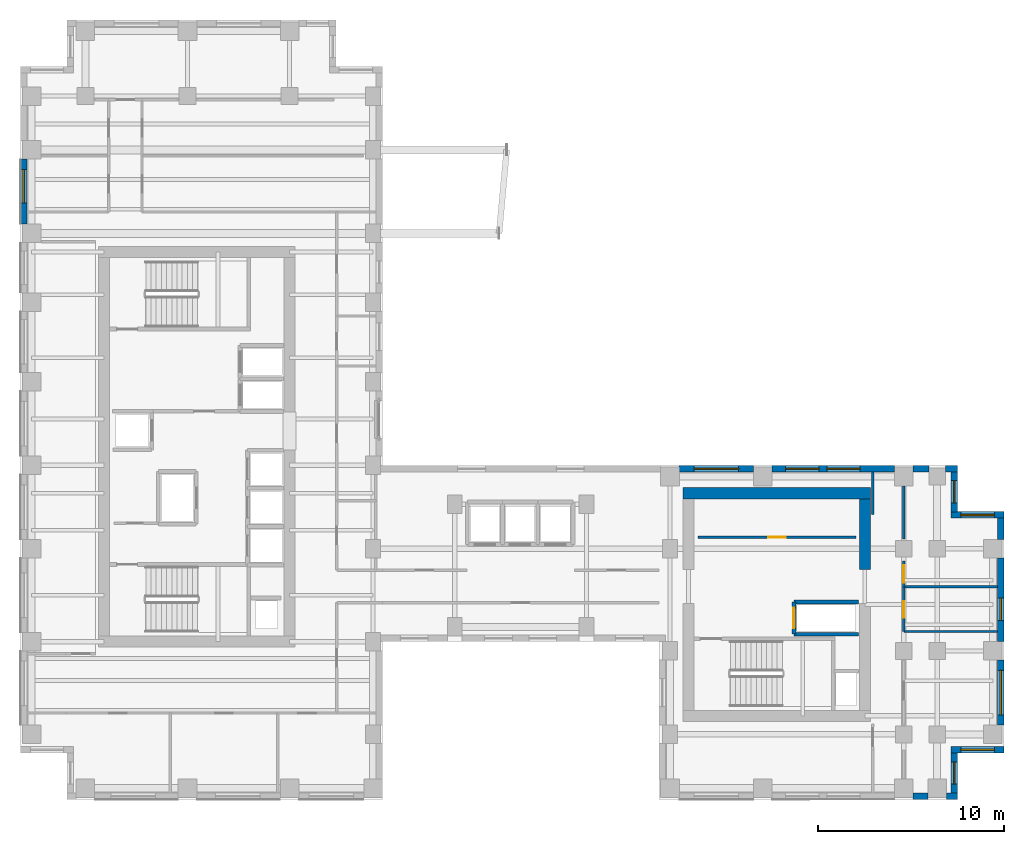
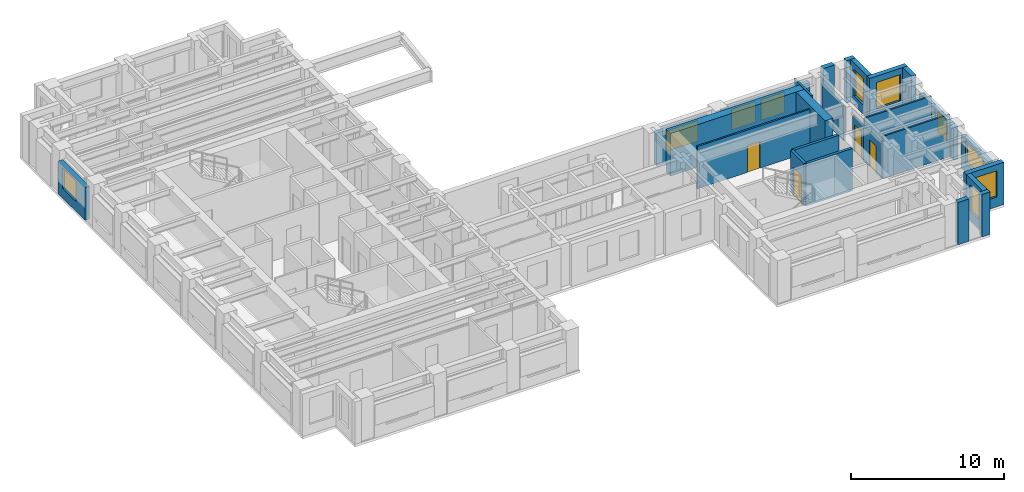
# One storey, part 10 of 14: 26 walls, 10 windows, 4 doors, 14 openings.
"""IFC4 building model written with IfcOpenShell, lengths in metres."""

from ifc_helpers import new_model, si_unit, direction, frame, frame_2d, origin, place, context, subcontext, project, spatial, rectangle, extrude, source, transform, mapped, material, layer, layer_set, type_object, element, fill, save


model = new_model("IFC4")

# Units and contexts
model_context = context("Model", 3, precision=1e-05, world=origin(), true_north=direction((0.0, 1.0)))
body_context = subcontext(model_context, "Body", "Model", "MODEL_VIEW")
ifc_project = project(units=[si_unit("LENGTHUNIT", "METRE"), si_unit("AREAUNIT", "SQUARE_METRE"), si_unit("VOLUMEUNIT", "CUBIC_METRE"), si_unit("PLANEANGLEUNIT", "RADIAN"), si_unit("MASSUNIT", "GRAM", prefix="KILO")], contexts=[model_context])

# Site, building, storey
site_placement = place(None, origin())
site = spatial("IfcSite", under=ifc_project, at=site_placement, CompositionType="ELEMENT")
building_placement = place(site_placement, origin())
building = spatial("IfcBuilding", under=site, at=building_placement, Name="Kharzan Plaza Tower", CompositionType="ELEMENT")
storey_placement = place(building_placement, frame((0.0, 0.0, 168.300048828125)))
storey = spatial("IfcBuildingStorey", under=building, at=storey_placement, Name="L45", CompositionType="ELEMENT", Elevation=168.300048828125)

# Wall, opening, window
ifc_material_1 = material(Name="Concrete C40/50", Category="concrete")
ifc_layer_1 = layer(ifc_material_1, 0.35009765625)
ifc_layer_set_1 = layer_set([ifc_layer_1], Name="Concrete C40/50")
wall_type_1 = type_object("IfcWallType", Name="WL-EXT-MAS-Z3", PredefinedType="SOLIDWALL", material=ifc_layer_set_1)
wall_1_placement = place(storey_placement, frame((0.175048828125, 34.501953125, 0.0), z_axis=(0.0, 0.0, 1.0), x_axis=(0.0, -1.0, 0.0)))
wall_1 = element("IfcWall", 1, at=wall_1_placement, inside=storey, type_object=wall_type_1, Name="L45 Masonry-Frame Exterior Wall 11", PredefinedType="SOLIDWALL", context=body_context, shape_type="SweptSolid", body=[
    extrude(rectangle(XDim=3.50390625, YDim=0.35009765625, at=frame_2d((1.751953125, 0.0))), origin(), (0.0, 0.0, 1.0), 2.612060546875),
])
opening_1_placement = place(wall_1_placement, frame((0.56103515625, 0.0, 0.780029296875)))
opening_1 = element("IfcOpeningElement", 2, at=opening_1_placement, cuts=wall_1, Name="Opening W1", PredefinedType="OPENING", context=body_context, shape_type="SweptSolid", body=[
    extrude(rectangle(XDim=1.800048828125, YDim=1.652099609375, at=frame_2d((0.89990234375, 0.826171875))), frame((0.0, 0.18505859375, 0.0), z_axis=(0.0, -1.0, 0.0), x_axis=(1.0, 0.0, 0.0)), (0.0, 0.0, 1.0), 0.3701171875),
])
ifc_material_2 = material(Name="Low-E Double Glazing", Category="glass")
window_type_1 = type_object("IfcWindowType", Name="WN-REC-1800x2100", PartitioningType="SINGLE_PANEL", PredefinedType="WINDOW", material=ifc_material_2)
shared_shape_1 = source(origin(), body_context, "Body", "SweptSolid", [
    extrude(rectangle(XDim=1.800048828125, YDim=1.652099609375, at=frame_2d((0.89990234375, 0.826171875))), frame((0.0, 0.030029296875, 0.0), z_axis=(0.0, -1.0, 0.0), x_axis=(1.0, 0.0, 0.0)), (0.0, 0.0, 1.0), 0.06005859375),
])
window_1_placement = place(opening_1_placement, origin())
window_1 = element("IfcWindow", 3, at=window_1_placement, inside=storey, type_object=window_type_1, Name="L45 Recessed Solar-Control Window 11-1", OverallHeight=1.652099609375, OverallWidth=1.800048828125, PartitioningType="SINGLE_PANEL", PredefinedType="WINDOW", context=body_context, shape_type="MappedRepresentation", body=[
    mapped(shared_shape_1, transform((0.0, 0.0, 0.0), x_axis=(1.0, 0.0, 0.0), y_axis=(0.0, 1.0, 0.0), z_axis=(0.0, 0.0, 1.0))),
])
fill(opening_1, window_1)

wall_2_placement = place(storey_placement, frame((50.324951171875, 0.347900390625, 0.0), z_axis=(0.0, 0.0, 1.0), x_axis=(0.0, 1.0, 0.0)))
wall_2 = element("IfcWall", 4, at=wall_2_placement, inside=storey, type_object=wall_type_1, Name="L45 Masonry-Frame Exterior Wall 35", PredefinedType="SOLIDWALL", context=body_context, shape_type="SweptSolid", body=[
    extrude(rectangle(XDim=2.154052734375, YDim=0.35009765625, at=frame_2d((1.0771484375, 0.0))), origin(), (0.0, 0.0, 1.0), 3.385009765625),
])
opening_2_placement = place(wall_2_placement, frame((0.47705078125, 0.0, 0.780029296875)))
opening_2 = element("IfcOpeningElement", 5, at=opening_2_placement, cuts=wall_2, Name="Opening W3", PredefinedType="OPENING", context=body_context, shape_type="SweptSolid", body=[
    extrude(rectangle(XDim=1.199951171875, YDim=2.10009765625, at=frame_2d((0.60009765625, 1.050048828125))), frame((0.0, 0.18505859375, 0.0), z_axis=(0.0, -1.0, 0.0), x_axis=(1.0, 0.0, 0.0)), (0.0, 0.0, 1.0), 0.3701171875),
])
window_type_2 = type_object("IfcWindowType", Name="WN-REC-1200x2100", PartitioningType="SINGLE_PANEL", PredefinedType="WINDOW", material=ifc_material_2)
shared_shape_2 = source(origin(), body_context, "Body", "SweptSolid", [
    extrude(rectangle(XDim=1.199951171875, YDim=2.10009765625, at=frame_2d((0.60009765625, 1.050048828125))), frame((0.0, 0.030029296875, 0.0), z_axis=(0.0, -1.0, 0.0), x_axis=(1.0, 0.0, 0.0)), (0.0, 0.0, 1.0), 0.06005859375),
])
window_2_placement = place(opening_2_placement, origin())
window_2 = element("IfcWindow", 6, at=window_2_placement, inside=storey, type_object=window_type_2, Name="L45 Recessed Solar-Control Window 35-1", OverallHeight=2.10009765625, OverallWidth=1.199951171875, PartitioningType="SINGLE_PANEL", PredefinedType="WINDOW", context=body_context, shape_type="MappedRepresentation", body=[
    mapped(shared_shape_2, transform((0.0, 0.0, 0.0), x_axis=(1.0, 0.0, 0.0), y_axis=(0.0, 1.0, 0.0), z_axis=(0.0, 0.0, 1.0))),
])
fill(opening_2, window_2)

wall_3_placement = place(storey_placement, frame((50.14990234375, 2.675048828125, 0.0), z_axis=(0.0, 0.0, 1.0), x_axis=(1.0, 0.0, 0.0)))
wall_3 = element("IfcWall", 7, at=wall_3_placement, inside=storey, type_object=wall_type_1, Name="L45 Masonry-Frame Exterior Wall 36", PredefinedType="SOLIDWALL", context=body_context, shape_type="SweptSolid", body=[
    extrude(rectangle(XDim=2.85009765625, YDim=0.35009765625, at=frame_2d((1.425048828125, 0.0))), origin(), (0.0, 0.0, 1.0), 3.385009765625),
])
opening_3_placement = place(wall_3_placement, frame((0.52490234375, 0.0, 0.780029296875)))
opening_3 = element("IfcOpeningElement", 8, at=opening_3_placement, cuts=wall_3, Name="Opening W1", PredefinedType="OPENING", context=body_context, shape_type="SweptSolid", body=[
    extrude(rectangle(XDim=1.800048828125, YDim=2.10009765625, at=frame_2d((0.89990234375, 1.050048828125))), frame((0.0, 0.18505859375, 0.0), z_axis=(0.0, -1.0, 0.0), x_axis=(1.0, 0.0, 0.0)), (0.0, 0.0, 1.0), 0.3701171875),
])
shared_shape_3 = source(origin(), body_context, "Body", "SweptSolid", [
    extrude(rectangle(XDim=1.800048828125, YDim=2.10009765625, at=frame_2d((0.89990234375, 1.050048828125))), frame((0.0, 0.030029296875, 0.0), z_axis=(0.0, -1.0, 0.0), x_axis=(1.0, 0.0, 0.0)), (0.0, 0.0, 1.0), 0.06005859375),
])
window_3_placement = place(opening_3_placement, origin())
window_3 = element("IfcWindow", 9, at=window_3_placement, inside=storey, type_object=window_type_1, Name="L45 Recessed Solar-Control Window 36-1", OverallHeight=2.10009765625, OverallWidth=1.800048828125, PartitioningType="SINGLE_PANEL", PredefinedType="WINDOW", context=body_context, shape_type="MappedRepresentation", body=[
    mapped(shared_shape_3, transform((0.0, 0.0, 0.0), x_axis=(1.0, 0.0, 0.0), y_axis=(0.0, 1.0, 0.0), z_axis=(0.0, 0.0, 1.0))),
])
fill(opening_3, window_3)

wall_4_placement = place(storey_placement, frame((52.824951171875, 3.998046875, 0.0), z_axis=(0.0, 0.0, 1.0), x_axis=(0.0, 1.0, 0.0)))
wall_4 = element("IfcWall", 10, at=wall_4_placement, inside=storey, type_object=wall_type_1, Name="L45 Masonry-Frame Exterior Wall 37", PredefinedType="SOLIDWALL", context=body_context, shape_type="SweptSolid", body=[
    extrude(rectangle(XDim=3.50390625, YDim=0.35009765625, at=frame_2d((1.751953125, 0.0))), origin(), (0.0, 0.0, 1.0), 2.612060546875),
])
opening_4_placement = place(wall_4_placement, frame((0.552001953125, 0.0, 0.780029296875)))
opening_4 = element("IfcOpeningElement", 11, at=opening_4_placement, cuts=wall_4, Name="Opening W2", PredefinedType="OPENING", context=body_context, shape_type="SweptSolid", body=[
    extrude(rectangle(XDim=2.39990234375, YDim=1.652099609375, at=frame_2d((1.199951171875, 0.826171875))), frame((0.0, 0.18505859375, 0.0), z_axis=(0.0, -1.0, 0.0), x_axis=(1.0, 0.0, 0.0)), (0.0, 0.0, 1.0), 0.3701171875),
])
window_type_3 = type_object("IfcWindowType", Name="WN-REC-2400x2100", PartitioningType="SINGLE_PANEL", PredefinedType="WINDOW", material=ifc_material_2)
shared_shape_4 = source(origin(), body_context, "Body", "SweptSolid", [
    extrude(rectangle(XDim=2.39990234375, YDim=1.652099609375, at=frame_2d((1.199951171875, 0.826171875))), frame((0.0, 0.030029296875, 0.0), z_axis=(0.0, -1.0, 0.0), x_axis=(1.0, 0.0, 0.0)), (0.0, 0.0, 1.0), 0.06005859375),
])
window_4_placement = place(opening_4_placement, origin())
window_4 = element("IfcWindow", 12, at=window_4_placement, inside=storey, type_object=window_type_3, Name="L45 Wide Recessed Solar-Control Window 37-1", OverallHeight=1.652099609375, OverallWidth=2.39990234375, PartitioningType="SINGLE_PANEL", PredefinedType="WINDOW", context=body_context, shape_type="MappedRepresentation", body=[
    mapped(shared_shape_4, transform((0.0, 0.0, 0.0), x_axis=(1.0, 0.0, 0.0), y_axis=(0.0, 1.0, 0.0), z_axis=(0.0, 0.0, 1.0))),
])
fill(opening_4, window_4)

wall_5_placement = place(storey_placement, frame((52.824951171875, 8.498046875, 0.0), z_axis=(0.0, 0.0, 1.0), x_axis=(0.0, 1.0, 0.0)))
wall_5 = element("IfcWall", 13, at=wall_5_placement, inside=storey, type_object=wall_type_1, Name="L45 Masonry-Frame Exterior Wall 38", PredefinedType="SOLIDWALL", context=body_context, shape_type="SweptSolid", body=[
    extrude(rectangle(XDim=4.50390625, YDim=0.35009765625, at=frame_2d((2.251953125, 0.0))), origin(), (0.0, 0.0, 1.0), 2.612060546875),
])
opening_5_placement = place(wall_5_placement, frame((1.152099609375, 0.0, 0.780029296875)))
opening_5 = element("IfcOpeningElement", 14, at=opening_5_placement, cuts=wall_5, Name="Opening W3", PredefinedType="OPENING", context=body_context, shape_type="SweptSolid", body=[
    extrude(rectangle(XDim=1.199951171875, YDim=1.652099609375, at=frame_2d((0.60009765625, 0.826171875))), frame((0.0, 0.18505859375, 0.0), z_axis=(0.0, -1.0, 0.0), x_axis=(1.0, 0.0, 0.0)), (0.0, 0.0, 1.0), 0.3701171875),
])
shared_shape_5 = source(origin(), body_context, "Body", "SweptSolid", [
    extrude(rectangle(XDim=1.199951171875, YDim=1.652099609375, at=frame_2d((0.60009765625, 0.826171875))), frame((0.0, 0.030029296875, 0.0), z_axis=(0.0, -1.0, 0.0), x_axis=(1.0, 0.0, 0.0)), (0.0, 0.0, 1.0), 0.06005859375),
])
window_5_placement = place(opening_5_placement, origin())
window_5 = element("IfcWindow", 15, at=window_5_placement, inside=storey, type_object=window_type_2, Name="L45 Recessed Solar-Control Window 38-1", OverallHeight=1.652099609375, OverallWidth=1.199951171875, PartitioningType="SINGLE_PANEL", PredefinedType="WINDOW", context=body_context, shape_type="MappedRepresentation", body=[
    mapped(shared_shape_5, transform((0.0, 0.0, 0.0), x_axis=(1.0, 0.0, 0.0), y_axis=(0.0, 1.0, 0.0), z_axis=(0.0, 0.0, 1.0))),
])
fill(opening_5, window_5)

wall_6_placement = place(storey_placement, frame((53.0, 15.324951171875, 0.0), z_axis=(0.0, 0.0, 1.0), x_axis=(-1.0, 0.0, 0.0)))
wall_6 = element("IfcWall", 16, at=wall_6_placement, inside=storey, type_object=wall_type_1, Name="L45 Masonry-Frame Exterior Wall 40", PredefinedType="SOLIDWALL", context=body_context, shape_type="SweptSolid", body=[
    extrude(rectangle(XDim=2.85009765625, YDim=0.35009765625, at=frame_2d((1.425048828125, 0.0))), origin(), (0.0, 0.0, 1.0), 3.385009765625),
])
opening_6_placement = place(wall_6_placement, frame((0.52490234375, 0.0, 0.780029296875)))
opening_6 = element("IfcOpeningElement", 17, at=opening_6_placement, cuts=wall_6, Name="Opening W1", PredefinedType="OPENING", context=body_context, shape_type="SweptSolid", body=[
    extrude(rectangle(XDim=1.800048828125, YDim=2.10009765625, at=frame_2d((0.89990234375, 1.050048828125))), frame((0.0, 0.18505859375, 0.0), z_axis=(0.0, -1.0, 0.0), x_axis=(1.0, 0.0, 0.0)), (0.0, 0.0, 1.0), 0.3701171875),
])
window_6_placement = place(opening_6_placement, origin())
window_6 = element("IfcWindow", 18, at=window_6_placement, inside=storey, type_object=window_type_1, Name="L45 Recessed Solar-Control Window 40-1", OverallHeight=2.10009765625, OverallWidth=1.800048828125, PartitioningType="SINGLE_PANEL", PredefinedType="WINDOW", context=body_context, shape_type="MappedRepresentation", body=[
    mapped(shared_shape_3, transform((0.0, 0.0, 0.0), x_axis=(1.0, 0.0, 0.0), y_axis=(0.0, 1.0, 0.0), z_axis=(0.0, 0.0, 1.0))),
])
fill(opening_6, window_6)

wall_7_placement = place(storey_placement, frame((50.324951171875, 15.498046875, 0.0), z_axis=(0.0, 0.0, 1.0), x_axis=(0.0, 1.0, 0.0)))
wall_7 = element("IfcWall", 19, at=wall_7_placement, inside=storey, type_object=wall_type_1, Name="L45 Masonry-Frame Exterior Wall 41", PredefinedType="SOLIDWALL", context=body_context, shape_type="SweptSolid", body=[
    extrude(rectangle(XDim=2.154052734375, YDim=0.35009765625, at=frame_2d((1.0771484375, 0.0))), origin(), (0.0, 0.0, 1.0), 3.385009765625),
])
opening_7_placement = place(wall_7_placement, frame((0.47705078125, 0.0, 0.780029296875)))
opening_7 = element("IfcOpeningElement", 20, at=opening_7_placement, cuts=wall_7, Name="Opening W3", PredefinedType="OPENING", context=body_context, shape_type="SweptSolid", body=[
    extrude(rectangle(XDim=1.199951171875, YDim=2.10009765625, at=frame_2d((0.60009765625, 1.050048828125))), frame((0.0, 0.18505859375, 0.0), z_axis=(0.0, -1.0, 0.0), x_axis=(1.0, 0.0, 0.0)), (0.0, 0.0, 1.0), 0.3701171875),
])
window_7_placement = place(opening_7_placement, origin())
window_7 = element("IfcWindow", 21, at=window_7_placement, inside=storey, type_object=window_type_2, Name="L45 Recessed Solar-Control Window 41-1", OverallHeight=2.10009765625, OverallWidth=1.199951171875, PartitioningType="SINGLE_PANEL", PredefinedType="WINDOW", context=body_context, shape_type="MappedRepresentation", body=[
    mapped(shared_shape_2, transform((0.0, 0.0, 0.0), x_axis=(1.0, 0.0, 0.0), y_axis=(0.0, 1.0, 0.0), z_axis=(0.0, 0.0, 1.0))),
])
fill(opening_7, window_7)

# Wall, openings, windows
wall_8_placement = place(storey_placement, frame((47.10205078125, 17.824951171875, 0.0), z_axis=(0.0, 0.0, 1.0), x_axis=(-1.0, 0.0, 0.0)))
wall_8 = element("IfcWall", 22, at=wall_8_placement, inside=storey, type_object=wall_type_1, Name="L45 Masonry-Frame Exterior Wall 44", PredefinedType="SOLIDWALL", context=body_context, shape_type="SweptSolid", body=[
    extrude(rectangle(XDim=6.60400390625, YDim=0.35009765625, at=frame_2d((3.302001953125, 0.0))), origin(), (0.0, 0.0, 1.0), 2.612060546875),
])
opening_8_placement = place(wall_8_placement, frame((1.849365234375, 0.0, 0.780029296875)))
opening_8 = element("IfcOpeningElement", 23, at=opening_8_placement, cuts=wall_8, Name="Opening W1", PredefinedType="OPENING", context=body_context, shape_type="SweptSolid", body=[
    extrude(rectangle(XDim=1.800048828125, YDim=1.652099609375, at=frame_2d((0.89990234375, 0.826171875))), frame((0.0, 0.18505859375, 0.0), z_axis=(0.0, -1.0, 0.0), x_axis=(1.0, 0.0, 0.0)), (0.0, 0.0, 1.0), 0.3701171875),
])
opening_9_placement = place(wall_8_placement, frame((4.066650390625, 0.0, 0.780029296875)))
opening_9 = element("IfcOpeningElement", 24, at=opening_9_placement, cuts=wall_8, Name="Opening W1", PredefinedType="OPENING", context=body_context, shape_type="SweptSolid", body=[
    extrude(rectangle(XDim=1.800048828125, YDim=1.652099609375, at=frame_2d((0.89990234375, 0.826171875))), frame((0.0, 0.18505859375, 0.0), z_axis=(0.0, -1.0, 0.0), x_axis=(1.0, 0.0, 0.0)), (0.0, 0.0, 1.0), 0.3701171875),
])
window_8_placement = place(opening_8_placement, origin())
window_8 = element("IfcWindow", 25, at=window_8_placement, inside=storey, type_object=window_type_1, Name="L45 Recessed Solar-Control Window 44-1", OverallHeight=1.652099609375, OverallWidth=1.800048828125, PartitioningType="SINGLE_PANEL", PredefinedType="WINDOW", context=body_context, shape_type="MappedRepresentation", body=[
    mapped(shared_shape_1, transform((0.0, 0.0, 0.0), x_axis=(1.0, 0.0, 0.0), y_axis=(0.0, 1.0, 0.0), z_axis=(0.0, 0.0, 1.0))),
])
fill(opening_8, window_8)
window_9_placement = place(opening_9_placement, origin())
window_9 = element("IfcWindow", 26, at=window_9_placement, inside=storey, type_object=window_type_1, Name="L45 Recessed Solar-Control Window 44-2", OverallHeight=1.652099609375, OverallWidth=1.800048828125, PartitioningType="SINGLE_PANEL", PredefinedType="WINDOW", context=body_context, shape_type="MappedRepresentation", body=[
    mapped(shared_shape_1, transform((0.0, 0.0, 0.0), x_axis=(1.0, 0.0, 0.0), y_axis=(0.0, 1.0, 0.0), z_axis=(0.0, 0.0, 1.0))),
])
fill(opening_9, window_9)

# Wall, opening, window
wall_9_placement = place(storey_placement, frame((39.501953125, 17.824951171875, 0.0), z_axis=(0.0, 0.0, 1.0), x_axis=(-1.0, 0.0, 0.0)))
wall_9 = element("IfcWall", 27, at=wall_9_placement, inside=storey, type_object=wall_type_1, Name="L45 Masonry-Frame Exterior Wall 45", PredefinedType="SOLIDWALL", context=body_context, shape_type="SweptSolid", body=[
    extrude(rectangle(XDim=4.00390625, YDim=0.35009765625, at=frame_2d((2.001953125, 0.0))), origin(), (0.0, 0.0, 1.0), 2.612060546875),
])
opening_10_placement = place(wall_9_placement, frame((0.802001953125, 0.0, 0.780029296875)))
opening_10 = element("IfcOpeningElement", 28, at=opening_10_placement, cuts=wall_9, Name="Opening W2", PredefinedType="OPENING", context=body_context, shape_type="SweptSolid", body=[
    extrude(rectangle(XDim=2.39990234375, YDim=1.652099609375, at=frame_2d((1.199951171875, 0.826171875))), frame((0.0, 0.18505859375, 0.0), z_axis=(0.0, -1.0, 0.0), x_axis=(1.0, 0.0, 0.0)), (0.0, 0.0, 1.0), 0.3701171875),
])
window_10_placement = place(opening_10_placement, origin())
window_10 = element("IfcWindow", 29, at=window_10_placement, inside=storey, type_object=window_type_3, Name="L45 Wide Recessed Solar-Control Window 45-1", OverallHeight=1.652099609375, OverallWidth=2.39990234375, PartitioningType="SINGLE_PANEL", PredefinedType="WINDOW", context=body_context, shape_type="MappedRepresentation", body=[
    mapped(shared_shape_4, transform((0.0, 0.0, 0.0), x_axis=(1.0, 0.0, 0.0), y_axis=(0.0, 1.0, 0.0), z_axis=(0.0, 0.0, 1.0))),
])
fill(opening_10, window_10)

# Wall, opening, door
ifc_material_3 = material(Name="Fire-Rated Gypsum Board Partition", Category="gypsum")
ifc_layer_2 = layer(ifc_material_3, 0.125)
ifc_layer_set_2 = layer_set([ifc_layer_2], Name="Fire-Rated Gypsum Board Partition")
wall_type_2 = type_object("IfcWallType", Name="WL-INT-PART-125", PredefinedType="PARTITIONING", material=ifc_layer_set_2)
wall_10_placement = place(storey_placement, frame((36.5, 14.1201171875, 0.0), z_axis=(0.0, 0.0, 1.0), x_axis=(1.0, 0.0, 0.0)))
wall_10 = element("IfcWall", 30, at=wall_10_placement, inside=storey, type_object=wall_type_2, Name="L45 Interior Partition CB-RBLS1", PredefinedType="PARTITIONING", context=body_context, shape_type="SweptSolid", body=[
    extrude(rectangle(XDim=8.52001953125, YDim=0.125, at=frame_2d((4.260009765625, 0.0))), origin(), (0.0, 0.0, 1.0), 3.385009765625),
])
opening_11_placement = place(wall_10_placement, frame((3.784912109375, 0.0, 0.0)))
opening_11 = element("IfcOpeningElement", 31, at=opening_11_placement, cuts=wall_10, Name="Opening OD1", PredefinedType="OPENING", context=body_context, shape_type="SweptSolid", body=[
    extrude(rectangle(XDim=0.949951171875, YDim=2.14990234375, at=frame_2d((0.47509765625, 1.074951171875))), frame((0.0, 0.072509765625, 0.0), z_axis=(0.0, -1.0, 0.0), x_axis=(1.0, 0.0, 0.0)), (0.0, 0.0, 1.0), 0.14501953125),
])
ifc_material_4 = material(Name="Acoustic Solid-Core Stained Oak", Category="timber")
door_type_1 = type_object("IfcDoorType", Name="DR-OFF-SINGLE", OperationType="NOTDEFINED", PredefinedType="DOOR", material=ifc_material_4)
shared_shape_6 = source(origin(), body_context, "Body", "SweptSolid", [
    extrude(rectangle(XDim=0.949951171875, YDim=2.14990234375, at=frame_2d((0.47509765625, 1.074951171875))), frame((0.0, 0.02490234375, 0.0), z_axis=(0.0, -1.0, 0.0), x_axis=(1.0, 0.0, 0.0)), (0.0, 0.0, 1.0), 0.050048828125),
])
door_1_placement = place(opening_11_placement, origin())
door_1 = element("IfcDoor", 32, at=door_1_placement, inside=storey, type_object=door_type_1, Name="L45 Mail Room Door", OperationType="SINGLE_SWING_RIGHT", OverallHeight=2.14990234375, OverallWidth=0.949951171875, PredefinedType="DOOR", context=body_context, shape_type="MappedRepresentation", body=[
    mapped(shared_shape_6, transform((0.0, 0.0, 0.0), x_axis=(1.0, 0.0, 0.0), y_axis=(0.0, 1.0, 0.0), z_axis=(0.0, 0.0, 1.0))),
])
fill(opening_11, door_1)

wall_11_placement = place(storey_placement, frame((47.60009765625, 11.449951171875, 0.0), z_axis=(0.0, 0.0, 1.0), x_axis=(0.0, 1.0, 0.0)))
wall_11 = element("IfcWall", 33, at=wall_11_placement, inside=storey, type_object=wall_type_2, Name="L45 Interior Partition SH-B1W1", PredefinedType="PARTITIONING", context=body_context, shape_type="SweptSolid", body=[
    extrude(rectangle(XDim=1.400146484375, YDim=0.125, at=frame_2d((0.7001953125, 0.0))), origin(), (0.0, 0.0, 1.0), 2.77294921875),
])
opening_12_placement = place(wall_11_placement, frame((0.22509765625, 0.0, 0.0)))
opening_12 = element("IfcOpeningElement", 34, at=opening_12_placement, cuts=wall_11, Name="Opening OD1", PredefinedType="OPENING", context=body_context, shape_type="SweptSolid", body=[
    extrude(rectangle(XDim=0.949951171875, YDim=2.14990234375, at=frame_2d((0.47509765625, 1.074951171875))), frame((0.0, 0.072509765625, 0.0), z_axis=(0.0, -1.0, 0.0), x_axis=(1.0, 0.0, 0.0)), (0.0, 0.0, 1.0), 0.14501953125),
])
door_2_placement = place(opening_12_placement, origin())
door_2 = element("IfcDoor", 35, at=door_2_placement, inside=storey, type_object=door_type_1, Name="L45 Wing B North Office Door", OperationType="SINGLE_SWING_LEFT", OverallHeight=2.14990234375, OverallWidth=0.949951171875, PredefinedType="DOOR", context=body_context, shape_type="MappedRepresentation", body=[
    mapped(shared_shape_6, transform((0.0, 0.0, 0.0), x_axis=(1.0, 0.0, 0.0), y_axis=(0.0, 1.0, 0.0), z_axis=(0.0, 0.0, 1.0))),
])
fill(opening_12, door_2)

wall_12_placement = place(storey_placement, frame((47.60009765625, 9.050048828125, 0.0), z_axis=(0.0, 0.0, 1.0), x_axis=(0.0, 1.0, 0.0)))
wall_12 = element("IfcWall", 36, at=wall_12_placement, inside=storey, type_object=wall_type_2, Name="L45 Interior Partition SH-B1WC", PredefinedType="PARTITIONING", context=body_context, shape_type="SweptSolid", body=[
    extrude(rectangle(XDim=2.39990234375, YDim=0.125, at=frame_2d((1.199951171875, 0.0))), origin(), (0.0, 0.0, 1.0), 2.77294921875),
])
opening_13_placement = place(wall_12_placement, frame((0.72509765625, 0.0, 0.0)))
opening_13 = element("IfcOpeningElement", 37, at=opening_13_placement, cuts=wall_12, Name="Opening WD1", PredefinedType="OPENING", context=body_context, shape_type="SweptSolid", body=[
    extrude(rectangle(XDim=0.89990234375, YDim=2.14990234375, at=frame_2d((0.449951171875, 1.074951171875))), frame((0.0, 0.072509765625, 0.0), z_axis=(0.0, -1.0, 0.0), x_axis=(1.0, 0.0, 0.0)), (0.0, 0.0, 1.0), 0.14501953125),
])
ifc_material_5 = material(Name="Moisture-Resistant Fire-Rated Laminate", Category="timber")
door_type_2 = type_object("IfcDoorType", Name="DR-WC-900", OperationType="NOTDEFINED", PredefinedType="DOOR", material=ifc_material_5)
shared_shape_7 = source(origin(), body_context, "Body", "SweptSolid", [
    extrude(rectangle(XDim=0.89990234375, YDim=2.14990234375, at=frame_2d((0.449951171875, 1.074951171875))), frame((0.0, 0.02490234375, 0.0), z_axis=(0.0, -1.0, 0.0), x_axis=(1.0, 0.0, 0.0)), (0.0, 0.0, 1.0), 0.050048828125),
])
door_3_placement = place(opening_13_placement, origin())
door_3 = element("IfcDoor", 38, at=door_3_placement, inside=storey, type_object=door_type_2, Name="L45 Wing B Washroom Door", OperationType="SINGLE_SWING_LEFT", OverallHeight=2.14990234375, OverallWidth=0.89990234375, PredefinedType="DOOR", context=body_context, shape_type="MappedRepresentation", body=[
    mapped(shared_shape_7, transform((0.0, 0.0, 0.0), x_axis=(1.0, 0.0, 0.0), y_axis=(0.0, 1.0, 0.0), z_axis=(0.0, 0.0, 1.0))),
])
fill(opening_13, door_3)

ifc_layer_3 = layer(ifc_material_1, 0.199951171875)
ifc_layer_set_3 = layer_set([ifc_layer_3], Name="Concrete C40/50")
wall_type_3 = type_object("IfcWallType", Name="WL-INT-SHAFT-200", PredefinedType="PARTITIONING", material=ifc_layer_set_3)
wall_13_placement = place(storey_placement, frame((41.679931640625, 8.89990234375, 0.0), z_axis=(0.0, 0.0, 1.0), x_axis=(0.0, 1.0, 0.0)))
wall_13 = element("IfcWall", 39, at=wall_13_placement, inside=storey, type_object=wall_type_3, Name="L45 Interior Partition SHF-SVL-2-W", PredefinedType="PARTITIONING", context=body_context, shape_type="SweptSolid", body=[
    extrude(rectangle(XDim=1.739990234375, YDim=0.199951171875, at=frame_2d((0.8701171875, 0.0))), origin(), (0.0, 0.0, 1.0), 3.385009765625),
])
opening_14_placement = place(wall_13_placement, frame((0.320068359375, 0.0, 0.0)))
opening_14 = element("IfcOpeningElement", 40, at=opening_14_placement, cuts=wall_13, Name="Opening LD", PredefinedType="OPENING", context=body_context, shape_type="SweptSolid", body=[
    extrude(rectangle(XDim=1.10009765625, YDim=2.199951171875, at=frame_2d((0.550048828125, 1.10009765625))), frame((0.0, 0.10986328125, 0.0), z_axis=(0.0, -1.0, 0.0), x_axis=(1.0, 0.0, 0.0)), (0.0, 0.0, 1.0), 0.219970703125),
])
ifc_material_6 = material(Name="Brushed Stainless Steel", Category="steel")
door_type_3 = type_object("IfcDoorType", Name="DR-LIFT-SLIDE", OperationType="SLIDING_TO_LEFT", PredefinedType="DOOR", material=ifc_material_6)
shared_shape_8 = source(origin(), body_context, "Body", "SweptSolid", [
    extrude(rectangle(XDim=1.10009765625, YDim=2.199951171875, at=frame_2d((0.550048828125, 1.10009765625))), frame((0.0, 0.02490234375, 0.0), z_axis=(0.0, -1.0, 0.0), x_axis=(1.0, 0.0, 0.0)), (0.0, 0.0, 1.0), 0.050048828125),
])
door_4_placement = place(opening_14_placement, origin())
door_4 = element("IfcDoor", 41, at=door_4_placement, inside=storey, type_object=door_type_3, Name="L45 Service Lift SVL-2 Sliding Landing Door", OperationType="SLIDING_TO_LEFT", OverallHeight=2.199951171875, OverallWidth=1.10009765625, PredefinedType="DOOR", context=body_context, shape_type="MappedRepresentation", body=[
    mapped(shared_shape_8, transform((0.0, 0.0, 0.0), x_axis=(1.0, 0.0, 0.0), y_axis=(0.0, 1.0, 0.0), z_axis=(0.0, 0.0, 1.0))),
])
fill(opening_14, door_4)

# Walls
ifc_material_7 = material(Name="Concrete C50/60", Category="concrete")
ifc_layer_4 = layer(ifc_material_7, 0.60009765625)
ifc_layer_set_4 = layer_set([ifc_layer_4], Name="Concrete C50/60")
wall_type_4 = type_object("IfcWallType", Name="WL-CORE-600", PredefinedType="SHEAR", material=ifc_layer_set_4)
shared_shape_9 = source(origin(), body_context, "Body", "SweptSolid", [
    extrude(rectangle(XDim=3.800048828125, YDim=0.60009765625, at=frame_2d((1.89990234375, 0.0))), origin(), (0.0, 0.0, 1.0), 3.39990234375),
])
wall_14_placement = place(storey_placement, frame((45.5, 12.39990234375, 0.0), z_axis=(0.0, 0.0, 1.0), x_axis=(0.0, 1.0, 0.0)))
element("IfcWall", 42, at=wall_14_placement, inside=storey, type_object=wall_type_4, Name="L45 CORE-B east shear pier 2", PredefinedType="SHEAR", context=body_context, shape_type="MappedRepresentation", body=[
    mapped(shared_shape_9, transform((0.0, 0.0, 0.0), x_axis=(1.0, 0.0, 0.0), y_axis=(0.0, 1.0, 0.0), z_axis=(0.0, 0.0, 1.0))),
])
shared_shape_10 = source(origin(), body_context, "Body", "SweptSolid", [
    extrude(rectangle(XDim=10.10009765625, YDim=0.60009765625, at=frame_2d((5.050048828125, 0.0))), origin(), (0.0, 0.0, 1.0), 3.39990234375),
])
wall_15_placement = place(storey_placement, frame((35.699951171875, 16.5, 0.0), z_axis=(0.0, 0.0, 1.0), x_axis=(1.0, 0.0, 0.0)))
element("IfcWall", 43, at=wall_15_placement, inside=storey, type_object=wall_type_4, Name="L45 CORE-B north RC shear wall", PredefinedType="SHEAR", context=body_context, shape_type="MappedRepresentation", body=[
    mapped(shared_shape_10, transform((0.0, 0.0, 0.0), x_axis=(1.0, 0.0, 0.0), y_axis=(0.0, 1.0, 0.0), z_axis=(0.0, 0.0, 1.0))),
])
shared_shape_11 = source(origin(), body_context, "Body", "SweptSolid", [
    extrude(rectangle(XDim=0.80419921875, YDim=0.35009765625, at=frame_2d((0.402099609375, 0.0))), origin(), (0.0, 0.0, 1.0), 3.385009765625),
])
wall_16_placement = place(storey_placement, frame((48.097900390625, 0.175048828125, 0.0), z_axis=(0.0, 0.0, 1.0), x_axis=(1.0, 0.0, 0.0)))
element("IfcWall", 44, at=wall_16_placement, inside=storey, type_object=wall_type_1, Name="L45 Masonry-Frame Exterior Wall 33", PredefinedType="SOLIDWALL", context=body_context, shape_type="MappedRepresentation", body=[
    mapped(shared_shape_11, transform((0.0, 0.0, 0.0), x_axis=(1.0, 0.0, 0.0), y_axis=(0.0, 1.0, 0.0), z_axis=(0.0, 0.0, 1.0))),
])
shared_shape_12 = source(origin(), body_context, "Body", "SweptSolid", [
    extrude(rectangle(XDim=0.60205078125, YDim=0.35009765625, at=frame_2d((0.301025390625, 0.0))), origin(), (0.0, 0.0, 1.0), 3.385009765625),
])
wall_17_placement = place(storey_placement, frame((49.89794921875, 0.175048828125, 0.0), z_axis=(0.0, 0.0, 1.0), x_axis=(1.0, 0.0, 0.0)))
element("IfcWall", 45, at=wall_17_placement, inside=storey, type_object=wall_type_1, Name="L45 Masonry-Frame Exterior Wall 34", PredefinedType="SOLIDWALL", context=body_context, shape_type="MappedRepresentation", body=[
    mapped(shared_shape_12, transform((0.0, 0.0, 0.0), x_axis=(1.0, 0.0, 0.0), y_axis=(0.0, 1.0, 0.0), z_axis=(0.0, 0.0, 1.0))),
])
shared_shape_13 = source(origin(), body_context, "Body", "SweptSolid", [
    extrude(rectangle(XDim=1.154052734375, YDim=0.35009765625, at=frame_2d((0.5771484375, 0.0))), origin(), (0.0, 0.0, 1.0), 3.385009765625),
])
wall_18_placement = place(storey_placement, frame((52.824951171875, 13.998046875, 0.0), z_axis=(0.0, 0.0, 1.0), x_axis=(0.0, 1.0, 0.0)))
element("IfcWall", 46, at=wall_18_placement, inside=storey, type_object=wall_type_1, Name="L45 Masonry-Frame Exterior Wall 39", PredefinedType="SOLIDWALL", context=body_context, shape_type="MappedRepresentation", body=[
    mapped(shared_shape_13, transform((0.0, 0.0, 0.0), x_axis=(1.0, 0.0, 0.0), y_axis=(0.0, 1.0, 0.0), z_axis=(0.0, 0.0, 1.0))),
])
shared_shape_14 = source(origin(), body_context, "Body", "SweptSolid", [
    extrude(rectangle(XDim=0.652099609375, YDim=0.35009765625, at=frame_2d((0.326171875, 0.0))), origin(), (0.0, 0.0, 1.0), 3.385009765625),
])
wall_19_placement = place(storey_placement, frame((50.5, 17.824951171875, 0.0), z_axis=(0.0, 0.0, 1.0), x_axis=(-1.0, 0.0, 0.0)))
element("IfcWall", 47, at=wall_19_placement, inside=storey, type_object=wall_type_1, Name="L45 Masonry-Frame Exterior Wall 42", PredefinedType="SOLIDWALL", context=body_context, shape_type="MappedRepresentation", body=[
    mapped(shared_shape_14, transform((0.0, 0.0, 0.0), x_axis=(1.0, 0.0, 0.0), y_axis=(0.0, 1.0, 0.0), z_axis=(0.0, 0.0, 1.0))),
])
shared_shape_15 = source(origin(), body_context, "Body", "SweptSolid", [
    extrude(rectangle(XDim=0.85400390625, YDim=0.35009765625, at=frame_2d((0.427001953125, 0.0))), origin(), (0.0, 0.0, 1.0), 3.385009765625),
])
wall_20_placement = place(storey_placement, frame((48.951904296875, 17.824951171875, 0.0), z_axis=(0.0, 0.0, 1.0), x_axis=(-1.0, 0.0, 0.0)))
element("IfcWall", 48, at=wall_20_placement, inside=storey, type_object=wall_type_1, Name="L45 Masonry-Frame Exterior Wall 43", PredefinedType="SOLIDWALL", context=body_context, shape_type="MappedRepresentation", body=[
    mapped(shared_shape_15, transform((0.0, 0.0, 0.0), x_axis=(1.0, 0.0, 0.0), y_axis=(0.0, 1.0, 0.0), z_axis=(0.0, 0.0, 1.0))),
])
shared_shape_16 = source(origin(), body_context, "Body", "SweptSolid", [
    extrude(rectangle(XDim=5.0478515625, YDim=0.125, at=frame_2d((2.52392578125, 0.0))), origin(), (0.0, 0.0, 1.0), 3.385009765625),
])
for number, where, z_axis, x_axis, name in (
    (49, (47.60009765625, 11.449951171875, 0.0), (0.0, 0.0, 1.0), (1.0, 0.0, 0.0), "L45 Interior Partition SH-B1H-118"),
    (50, (47.60009765625, 9.050048828125, 0.0), (0.0, 0.0, 1.0), (1.0, 0.0, 0.0), "L45 Interior Partition SH-B1H-90"),
):
    element("IfcWall", number, at=place(storey_placement, frame(where, z_axis=z_axis, x_axis=x_axis)), inside=storey, type_object=wall_type_2, Name=name, PredefinedType="PARTITIONING", context=body_context, shape_type="MappedRepresentation", body=[
        mapped(shared_shape_16, transform((0.0, 0.0, 0.0), x_axis=(1.0, 0.0, 0.0), y_axis=(0.0, 1.0, 0.0), z_axis=(0.0, 0.0, 1.0))),
    ])
shared_shape_17 = source(origin(), body_context, "Body", "SweptSolid", [
    extrude(rectangle(XDim=2.85986328125, YDim=0.125, at=frame_2d((1.429931640625, 0.0))), origin(), (0.0, 0.0, 1.0), 2.77294921875),
])
wall_21_placement = place(storey_placement, frame((47.60009765625, 14.02001953125, 0.0), z_axis=(0.0, 0.0, 1.0), x_axis=(0.0, 1.0, 0.0)))
element("IfcWall", 51, at=wall_21_placement, inside=storey, type_object=wall_type_2, Name="L45 Interior Partition SH-B1W1N", PredefinedType="PARTITIONING", context=body_context, shape_type="MappedRepresentation", body=[
    mapped(shared_shape_17, transform((0.0, 0.0, 0.0), x_axis=(1.0, 0.0, 0.0), y_axis=(0.0, 1.0, 0.0), z_axis=(0.0, 0.0, 1.0))),
])
shared_shape_18 = source(origin(), body_context, "Body", "SweptSolid", [
    extrude(rectangle(XDim=2.2978515625, YDim=0.125, at=frame_2d((1.14892578125, 0.0))), origin(), (0.0, 0.0, 1.0), 3.385009765625),
])
wall_22_placement = place(storey_placement, frame((45.919921875, 15.35009765625, 0.0), z_axis=(0.0, 0.0, 1.0), x_axis=(0.0, 1.0, 0.0)))
element("IfcWall", 52, at=wall_22_placement, inside=storey, type_object=wall_type_2, Name="L45 Interior Partition SH-RBNE0", PredefinedType="PARTITIONING", context=body_context, shape_type="MappedRepresentation", body=[
    mapped(shared_shape_18, transform((0.0, 0.0, 0.0), x_axis=(1.0, 0.0, 0.0), y_axis=(0.0, 1.0, 0.0), z_axis=(0.0, 0.0, 1.0))),
])
shared_shape_19 = source(origin(), body_context, "Body", "SweptSolid", [
    extrude(rectangle(XDim=3.489990234375, YDim=0.199951171875, at=frame_2d((1.7451171875, 0.0))), origin(), (0.0, 0.0, 1.0), 3.385009765625),
])
for number, where, z_axis, x_axis, name in (
    (53, (41.679931640625, 10.639892578125, 0.0), (0.0, 0.0, 1.0), (1.0, 0.0, 0.0), "L45 Interior Partition SHF-SVL-2-N"),
    (54, (41.679931640625, 8.89990234375, 0.0), (0.0, 0.0, 1.0), (1.0, 0.0, 0.0), "L45 Interior Partition SHF-SVL-2-S"),
):
    element("IfcWall", number, at=place(storey_placement, frame(where, z_axis=z_axis, x_axis=x_axis)), inside=storey, type_object=wall_type_3, Name=name, PredefinedType="PARTITIONING", context=body_context, shape_type="MappedRepresentation", body=[
        mapped(shared_shape_19, transform((0.0, 0.0, 0.0), x_axis=(1.0, 0.0, 0.0), y_axis=(0.0, 1.0, 0.0), z_axis=(0.0, 0.0, 1.0))),
    ])

save(model, "model.ifc")
